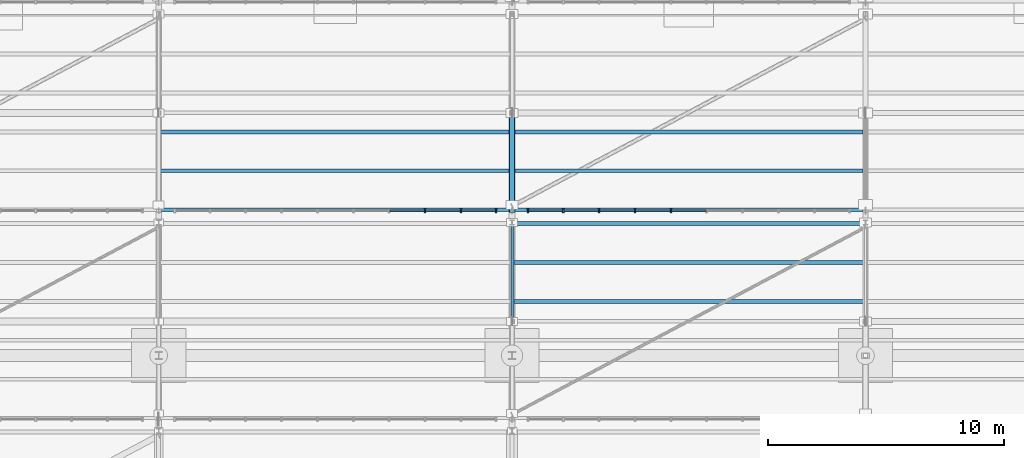
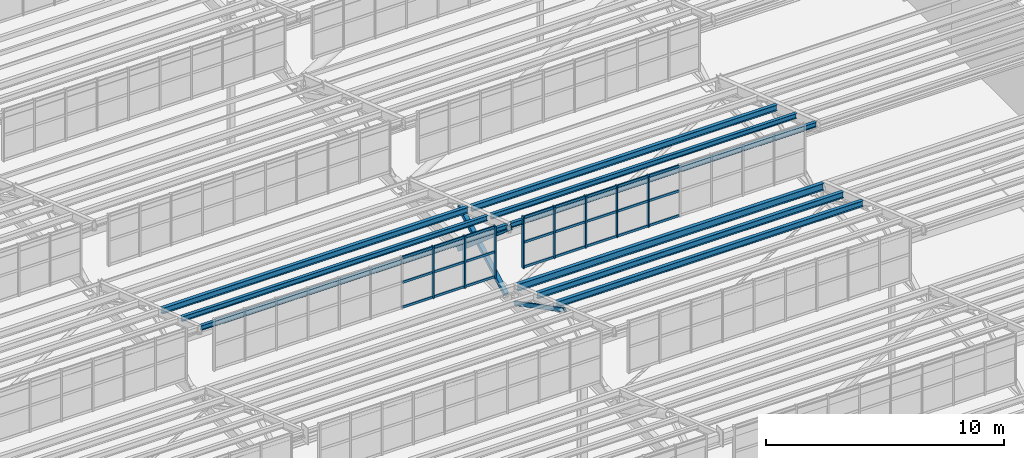
# One storey, part 92 of 285: 35 members, 9 beams, 2 elements without a shape of their own.
"""IFC4 building model written with IfcOpenShell, lengths in metres."""

from ifc_helpers import new_model, si_unit, direction, frame, origin, origin_2d, place, context, subcontext, project, spatial, rectangle, hollow_rectangle, i_section, extrude, material, material_profile, profile_set, type_object, element, aggregate, save


model = new_model("IFC4")

# Units and contexts
model_context = context("Model", 3, precision=1e-05, world=origin(), true_north=direction((0.0, 1.0)))
body_context = subcontext(model_context, "Body", "Model", "MODEL_VIEW")
ifc_project = project(units=[si_unit("LENGTHUNIT", "METRE"), si_unit("AREAUNIT", "SQUARE_METRE"), si_unit("VOLUMEUNIT", "CUBIC_METRE"), si_unit("PLANEANGLEUNIT", "RADIAN"), si_unit("MASSUNIT", "GRAM", prefix="KILO")], contexts=[model_context])

# Site, building, storey
site_placement = place(None, origin())
site = spatial("IfcSite", under=ifc_project, at=site_placement, CompositionType="ELEMENT")
building_placement = place(site_placement, origin())
building = spatial("IfcBuilding", under=site, at=building_placement, Name="Solanera Park Tramway Depot", CompositionType="ELEMENT")
storey_placement = place(building_placement, origin())
storey = spatial("IfcBuildingStorey", under=building, at=storey_placement, Name="L00", CompositionType="ELEMENT", Elevation=0.0)

# Curtain wall, members
ifc_material_1 = material(Name="Bronze-anodised thermally broken aluminium curtain wall", Category="aluminium")
curtain_wall_type = type_object("IfcCurtainWallType", Name="Sawtooth Clerestory Monitor Curtain Wall", PredefinedType="NOTDEFINED", material=ifc_material_1)
curtain_wall_1_placement = place(storey_placement, origin())
curtain_wall_1 = element("IfcCurtainWall", 1, at=curtain_wall_1_placement, inside=storey, type_object=curtain_wall_type, Name="L00 Sawtooth Clerestory Monitor Curtain Wall #034", PredefinedType="NOTDEFINED")
ifc_material_2 = material(Name="Bronze-anodised structural aluminium 6063-T6", Category="aluminium")
ifc_material_profile_1 = material_profile(ifc_material_2, rectangle(XDim=0.06494140625, YDim=0.14990234375, at=origin_2d()), Name="Curtain Wall Mullion 65x150")
ifc_profile_set_1 = profile_set([ifc_material_profile_1], Name="Bronze-anodised structural aluminium 6063-T6")
member_type_1 = type_object("IfcMemberType", Name="Curtain Wall Mullion 65x150", PredefinedType="MULLION", material=ifc_profile_set_1)
member_1_placement = place(storey_placement, frame((116.3056640625, 91.14990234375, 7.75), z_axis=(0.0, 0.0, 1.0), x_axis=(1.0, 0.0, 0.0)))
member_1 = element("IfcMember", 2, at=member_1_placement, type_object=member_type_1, Name="CW-L00-034 Mullion 8", PredefinedType="MULLION", context=body_context, shape_type="SweptSolid", body=[
    extrude(rectangle(XDim=0.06494140625, YDim=0.14990234375, at=origin_2d()), origin(), (0.0, 0.0, 1.0), 2.6611328125),
])
member_2_placement = place(storey_placement, frame((117.827880859375, 91.14990234375, 7.75), z_axis=(0.0, 0.0, 1.0), x_axis=(1.0, 0.0, 0.0)))
member_2 = element("IfcMember", 3, at=member_2_placement, type_object=member_type_1, Name="CW-L00-034 Mullion 9", PredefinedType="MULLION", context=body_context, shape_type="SweptSolid", body=[
    extrude(rectangle(XDim=0.06494140625, YDim=0.14990234375, at=origin_2d()), origin(), (0.0, 0.0, 1.0), 2.6611328125),
])
member_3_placement = place(storey_placement, frame((119.3173828125, 91.14990234375, 7.75), z_axis=(0.0, 0.0, 1.0), x_axis=(1.0, 0.0, 0.0)))
member_3 = element("IfcMember", 4, at=member_3_placement, type_object=member_type_1, Name="CW-L00-034 Mullion 10", PredefinedType="MULLION", context=body_context, shape_type="SweptSolid", body=[
    extrude(rectangle(XDim=0.06494140625, YDim=0.14990234375, at=origin_2d()), origin(), (0.0, 0.0, 1.0), 2.6611328125),
])

curtain_wall_2_placement = place(storey_placement, origin())
curtain_wall_2 = element("IfcCurtainWall", 5, at=curtain_wall_2_placement, inside=storey, type_object=curtain_wall_type, Name="L00 Sawtooth Clerestory Monitor Curtain Wall #035", PredefinedType="NOTDEFINED")
member_4_placement = place(storey_placement, frame((120.6826171875, 91.14990234375, 7.75), z_axis=(0.0, 0.0, 1.0), x_axis=(1.0, 0.0, 0.0)))
member_4 = element("IfcMember", 6, at=member_4_placement, type_object=member_type_1, Name="CW-L00-035 Mullion 1", PredefinedType="MULLION", context=body_context, shape_type="SweptSolid", body=[
    extrude(rectangle(XDim=0.06494140625, YDim=0.14990234375, at=origin_2d()), origin(), (0.0, 0.0, 1.0), 2.6611328125),
])
member_5_placement = place(storey_placement, frame((122.172119140625, 91.14990234375, 7.75), z_axis=(0.0, 0.0, 1.0), x_axis=(1.0, 0.0, 0.0)))
member_5 = element("IfcMember", 7, at=member_5_placement, type_object=member_type_1, Name="CW-L00-035 Mullion 2", PredefinedType="MULLION", context=body_context, shape_type="SweptSolid", body=[
    extrude(rectangle(XDim=0.06494140625, YDim=0.14990234375, at=origin_2d()), origin(), (0.0, 0.0, 1.0), 2.6611328125),
])
member_6_placement = place(storey_placement, frame((123.6943359375, 91.14990234375, 7.75), z_axis=(0.0, 0.0, 1.0), x_axis=(1.0, 0.0, 0.0)))
member_6 = element("IfcMember", 8, at=member_6_placement, type_object=member_type_1, Name="CW-L00-035 Mullion 3", PredefinedType="MULLION", context=body_context, shape_type="SweptSolid", body=[
    extrude(rectangle(XDim=0.06494140625, YDim=0.14990234375, at=origin_2d()), origin(), (0.0, 0.0, 1.0), 2.6611328125),
])
member_7_placement = place(storey_placement, frame((125.216796875, 91.14990234375, 7.75), z_axis=(0.0, 0.0, 1.0), x_axis=(1.0, 0.0, 0.0)))
member_7 = element("IfcMember", 9, at=member_7_placement, type_object=member_type_1, Name="CW-L00-035 Mullion 4", PredefinedType="MULLION", context=body_context, shape_type="SweptSolid", body=[
    extrude(rectangle(XDim=0.06494140625, YDim=0.14990234375, at=origin_2d()), origin(), (0.0, 0.0, 1.0), 2.6611328125),
])
member_8_placement = place(storey_placement, frame((126.739013671875, 91.14990234375, 7.75), z_axis=(0.0, 0.0, 1.0), x_axis=(1.0, 0.0, 0.0)))
member_8 = element("IfcMember", 10, at=member_8_placement, type_object=member_type_1, Name="CW-L00-035 Mullion 5", PredefinedType="MULLION", context=body_context, shape_type="SweptSolid", body=[
    extrude(rectangle(XDim=0.06494140625, YDim=0.14990234375, at=origin_2d()), origin(), (0.0, 0.0, 1.0), 2.6611328125),
])

# Member
ifc_material_3 = material(Name="Bronze-anodised structural aluminium 6063-T6", Category="aluminium")
ifc_material_profile_2 = material_profile(ifc_material_3, rectangle(XDim=0.06494140625, YDim=0.1201171875, at=origin_2d()), Name="Curtain Wall Transom 65x120")
ifc_profile_set_2 = profile_set([ifc_material_profile_2], Name="Bronze-anodised structural aluminium 6063-T6")
member_type_2 = type_object("IfcMemberType", Name="Curtain Wall Transom 65x120", PredefinedType="USERDEFINED", material=ifc_profile_set_2)
member_9_placement = place(storey_placement, frame((114.811279296875, 91.14990234375, 7.81005859375), z_axis=(1.0, 0.0, 0.0), x_axis=(0.0, 1.0, 0.0)))
member_9 = element("IfcMember", 11, at=member_9_placement, type_object=member_type_2, Name="CW-L00-034 Transom R1.C7", ObjectType="TRANSOM", PredefinedType="USERDEFINED", context=body_context, shape_type="SweptSolid", body=[
    extrude(rectangle(XDim=0.06494140625, YDim=0.1201171875, at=origin_2d()), origin(), (0.0, 0.0, 1.0), 1.46630859375),
])

member_10_placement = place(storey_placement, frame((116.33349609375, 91.14990234375, 7.81005859375), z_axis=(1.0, 0.0, 0.0), x_axis=(0.0, 1.0, 0.0)))
member_10 = element("IfcMember", 12, at=member_10_placement, type_object=member_type_2, Name="CW-L00-034 Transom R1.C8", ObjectType="TRANSOM", PredefinedType="USERDEFINED", context=body_context, shape_type="SweptSolid", body=[
    extrude(rectangle(XDim=0.06494140625, YDim=0.1201171875, at=origin_2d()), origin(), (0.0, 0.0, 1.0), 1.46630859375),
])

member_11_placement = place(storey_placement, frame((117.855712890625, 91.14990234375, 7.81005859375), z_axis=(1.0, 0.0, 0.0), x_axis=(0.0, 1.0, 0.0)))
member_11 = element("IfcMember", 13, at=member_11_placement, type_object=member_type_2, Name="CW-L00-034 Transom R1.C9", ObjectType="TRANSOM", PredefinedType="USERDEFINED", context=body_context, shape_type="SweptSolid", body=[
    extrude(rectangle(XDim=0.06494140625, YDim=0.1201171875, at=origin_2d()), origin(), (0.0, 0.0, 1.0), 1.433837890625),
])

member_12_placement = place(storey_placement, frame((114.811279296875, 91.14990234375, 9.08056640625), z_axis=(1.0, 0.0, 0.0), x_axis=(0.0, 1.0, 0.0)))
member_12 = element("IfcMember", 14, at=member_12_placement, type_object=member_type_2, Name="CW-L00-034 Transom R2.C7", ObjectType="TRANSOM", PredefinedType="USERDEFINED", context=body_context, shape_type="SweptSolid", body=[
    extrude(rectangle(XDim=0.06494140625, YDim=0.1201171875, at=origin_2d()), origin(), (0.0, 0.0, 1.0), 1.46630859375),
])

member_13_placement = place(storey_placement, frame((116.33349609375, 91.14990234375, 9.08056640625), z_axis=(1.0, 0.0, 0.0), x_axis=(0.0, 1.0, 0.0)))
member_13 = element("IfcMember", 15, at=member_13_placement, type_object=member_type_2, Name="CW-L00-034 Transom R2.C8", ObjectType="TRANSOM", PredefinedType="USERDEFINED", context=body_context, shape_type="SweptSolid", body=[
    extrude(rectangle(XDim=0.06494140625, YDim=0.1201171875, at=origin_2d()), origin(), (0.0, 0.0, 1.0), 1.46630859375),
])

member_14_placement = place(storey_placement, frame((117.855712890625, 91.14990234375, 9.08056640625), z_axis=(1.0, 0.0, 0.0), x_axis=(0.0, 1.0, 0.0)))
member_14 = element("IfcMember", 16, at=member_14_placement, type_object=member_type_2, Name="CW-L00-034 Transom R2.C9", ObjectType="TRANSOM", PredefinedType="USERDEFINED", context=body_context, shape_type="SweptSolid", body=[
    extrude(rectangle(XDim=0.06494140625, YDim=0.1201171875, at=origin_2d()), origin(), (0.0, 0.0, 1.0), 1.433837890625),
])

member_15_placement = place(storey_placement, frame((114.811279296875, 91.14990234375, 10.351318359375), z_axis=(1.0, 0.0, 0.0), x_axis=(0.0, 1.0, 0.0)))
member_15 = element("IfcMember", 17, at=member_15_placement, type_object=member_type_2, Name="CW-L00-034 Transom R3.C7", ObjectType="TRANSOM", PredefinedType="USERDEFINED", context=body_context, shape_type="SweptSolid", body=[
    extrude(rectangle(XDim=0.06494140625, YDim=0.1201171875, at=origin_2d()), origin(), (0.0, 0.0, 1.0), 1.46630859375),
])

member_16_placement = place(storey_placement, frame((116.33349609375, 91.14990234375, 10.351318359375), z_axis=(1.0, 0.0, 0.0), x_axis=(0.0, 1.0, 0.0)))
member_16 = element("IfcMember", 18, at=member_16_placement, type_object=member_type_2, Name="CW-L00-034 Transom R3.C8", ObjectType="TRANSOM", PredefinedType="USERDEFINED", context=body_context, shape_type="SweptSolid", body=[
    extrude(rectangle(XDim=0.06494140625, YDim=0.1201171875, at=origin_2d()), origin(), (0.0, 0.0, 1.0), 1.46630859375),
])

member_17_placement = place(storey_placement, frame((117.855712890625, 91.14990234375, 10.351318359375), z_axis=(1.0, 0.0, 0.0), x_axis=(0.0, 1.0, 0.0)))
member_17 = element("IfcMember", 19, at=member_17_placement, type_object=member_type_2, Name="CW-L00-034 Transom R3.C9", ObjectType="TRANSOM", PredefinedType="USERDEFINED", context=body_context, shape_type="SweptSolid", body=[
    extrude(rectangle(XDim=0.06494140625, YDim=0.1201171875, at=origin_2d()), origin(), (0.0, 0.0, 1.0), 1.433837890625),
])

aggregate(curtain_wall_1, [member_1, member_2, member_3, member_9, member_10, member_11, member_12, member_13, member_14, member_15, member_16, member_17])

member_18_placement = place(storey_placement, frame((120.71044921875, 91.14990234375, 7.81005859375), z_axis=(1.0, 0.0, 0.0), x_axis=(0.0, 1.0, 0.0)))
member_18 = element("IfcMember", 20, at=member_18_placement, type_object=member_type_2, Name="CW-L00-035 Transom R1.C1", ObjectType="TRANSOM", PredefinedType="USERDEFINED", context=body_context, shape_type="SweptSolid", body=[
    extrude(rectangle(XDim=0.06494140625, YDim=0.1201171875, at=origin_2d()), origin(), (0.0, 0.0, 1.0), 1.433837890625),
])

member_19_placement = place(storey_placement, frame((122.2001953125, 91.14990234375, 7.81005859375), z_axis=(1.0, 0.0, 0.0), x_axis=(0.0, 1.0, 0.0)))
member_19 = element("IfcMember", 21, at=member_19_placement, type_object=member_type_2, Name="CW-L00-035 Transom R1.C2", ObjectType="TRANSOM", PredefinedType="USERDEFINED", context=body_context, shape_type="SweptSolid", body=[
    extrude(rectangle(XDim=0.06494140625, YDim=0.1201171875, at=origin_2d()), origin(), (0.0, 0.0, 1.0), 1.46630859375),
])

member_20_placement = place(storey_placement, frame((123.722412109375, 91.14990234375, 7.81005859375), z_axis=(1.0, 0.0, 0.0), x_axis=(0.0, 1.0, 0.0)))
member_20 = element("IfcMember", 22, at=member_20_placement, type_object=member_type_2, Name="CW-L00-035 Transom R1.C3", ObjectType="TRANSOM", PredefinedType="USERDEFINED", context=body_context, shape_type="SweptSolid", body=[
    extrude(rectangle(XDim=0.06494140625, YDim=0.1201171875, at=origin_2d()), origin(), (0.0, 0.0, 1.0), 1.46630859375),
])

member_21_placement = place(storey_placement, frame((125.24462890625, 91.14990234375, 7.81005859375), z_axis=(1.0, 0.0, 0.0), x_axis=(0.0, 1.0, 0.0)))
member_21 = element("IfcMember", 23, at=member_21_placement, type_object=member_type_2, Name="CW-L00-035 Transom R1.C4", ObjectType="TRANSOM", PredefinedType="USERDEFINED", context=body_context, shape_type="SweptSolid", body=[
    extrude(rectangle(XDim=0.06494140625, YDim=0.1201171875, at=origin_2d()), origin(), (0.0, 0.0, 1.0), 1.46630859375),
])

member_22_placement = place(storey_placement, frame((126.766845703125, 91.14990234375, 7.81005859375), z_axis=(1.0, 0.0, 0.0), x_axis=(0.0, 1.0, 0.0)))
member_22 = element("IfcMember", 24, at=member_22_placement, type_object=member_type_2, Name="CW-L00-035 Transom R1.C5", ObjectType="TRANSOM", PredefinedType="USERDEFINED", context=body_context, shape_type="SweptSolid", body=[
    extrude(rectangle(XDim=0.06494140625, YDim=0.1201171875, at=origin_2d()), origin(), (0.0, 0.0, 1.0), 1.46630859375),
])

member_23_placement = place(storey_placement, frame((120.71044921875, 91.14990234375, 9.08056640625), z_axis=(1.0, 0.0, 0.0), x_axis=(0.0, 1.0, 0.0)))
member_23 = element("IfcMember", 25, at=member_23_placement, type_object=member_type_2, Name="CW-L00-035 Transom R2.C1", ObjectType="TRANSOM", PredefinedType="USERDEFINED", context=body_context, shape_type="SweptSolid", body=[
    extrude(rectangle(XDim=0.06494140625, YDim=0.1201171875, at=origin_2d()), origin(), (0.0, 0.0, 1.0), 1.433837890625),
])

member_24_placement = place(storey_placement, frame((122.2001953125, 91.14990234375, 9.08056640625), z_axis=(1.0, 0.0, 0.0), x_axis=(0.0, 1.0, 0.0)))
member_24 = element("IfcMember", 26, at=member_24_placement, type_object=member_type_2, Name="CW-L00-035 Transom R2.C2", ObjectType="TRANSOM", PredefinedType="USERDEFINED", context=body_context, shape_type="SweptSolid", body=[
    extrude(rectangle(XDim=0.06494140625, YDim=0.1201171875, at=origin_2d()), origin(), (0.0, 0.0, 1.0), 1.46630859375),
])

member_25_placement = place(storey_placement, frame((123.722412109375, 91.14990234375, 9.08056640625), z_axis=(1.0, 0.0, 0.0), x_axis=(0.0, 1.0, 0.0)))
member_25 = element("IfcMember", 27, at=member_25_placement, type_object=member_type_2, Name="CW-L00-035 Transom R2.C3", ObjectType="TRANSOM", PredefinedType="USERDEFINED", context=body_context, shape_type="SweptSolid", body=[
    extrude(rectangle(XDim=0.06494140625, YDim=0.1201171875, at=origin_2d()), origin(), (0.0, 0.0, 1.0), 1.46630859375),
])

member_26_placement = place(storey_placement, frame((125.24462890625, 91.14990234375, 9.08056640625), z_axis=(1.0, 0.0, 0.0), x_axis=(0.0, 1.0, 0.0)))
member_26 = element("IfcMember", 28, at=member_26_placement, type_object=member_type_2, Name="CW-L00-035 Transom R2.C4", ObjectType="TRANSOM", PredefinedType="USERDEFINED", context=body_context, shape_type="SweptSolid", body=[
    extrude(rectangle(XDim=0.06494140625, YDim=0.1201171875, at=origin_2d()), origin(), (0.0, 0.0, 1.0), 1.46630859375),
])

member_27_placement = place(storey_placement, frame((126.766845703125, 91.14990234375, 9.08056640625), z_axis=(1.0, 0.0, 0.0), x_axis=(0.0, 1.0, 0.0)))
member_27 = element("IfcMember", 29, at=member_27_placement, type_object=member_type_2, Name="CW-L00-035 Transom R2.C5", ObjectType="TRANSOM", PredefinedType="USERDEFINED", context=body_context, shape_type="SweptSolid", body=[
    extrude(rectangle(XDim=0.06494140625, YDim=0.1201171875, at=origin_2d()), origin(), (0.0, 0.0, 1.0), 1.46630859375),
])

member_28_placement = place(storey_placement, frame((120.71044921875, 91.14990234375, 10.351318359375), z_axis=(1.0, 0.0, 0.0), x_axis=(0.0, 1.0, 0.0)))
member_28 = element("IfcMember", 30, at=member_28_placement, type_object=member_type_2, Name="CW-L00-035 Transom R3.C1", ObjectType="TRANSOM", PredefinedType="USERDEFINED", context=body_context, shape_type="SweptSolid", body=[
    extrude(rectangle(XDim=0.06494140625, YDim=0.1201171875, at=origin_2d()), origin(), (0.0, 0.0, 1.0), 1.433837890625),
])

member_29_placement = place(storey_placement, frame((122.2001953125, 91.14990234375, 10.351318359375), z_axis=(1.0, 0.0, 0.0), x_axis=(0.0, 1.0, 0.0)))
member_29 = element("IfcMember", 31, at=member_29_placement, type_object=member_type_2, Name="CW-L00-035 Transom R3.C2", ObjectType="TRANSOM", PredefinedType="USERDEFINED", context=body_context, shape_type="SweptSolid", body=[
    extrude(rectangle(XDim=0.06494140625, YDim=0.1201171875, at=origin_2d()), origin(), (0.0, 0.0, 1.0), 1.46630859375),
])

member_30_placement = place(storey_placement, frame((123.722412109375, 91.14990234375, 10.351318359375), z_axis=(1.0, 0.0, 0.0), x_axis=(0.0, 1.0, 0.0)))
member_30 = element("IfcMember", 32, at=member_30_placement, type_object=member_type_2, Name="CW-L00-035 Transom R3.C3", ObjectType="TRANSOM", PredefinedType="USERDEFINED", context=body_context, shape_type="SweptSolid", body=[
    extrude(rectangle(XDim=0.06494140625, YDim=0.1201171875, at=origin_2d()), origin(), (0.0, 0.0, 1.0), 1.46630859375),
])

member_31_placement = place(storey_placement, frame((125.24462890625, 91.14990234375, 10.351318359375), z_axis=(1.0, 0.0, 0.0), x_axis=(0.0, 1.0, 0.0)))
member_31 = element("IfcMember", 33, at=member_31_placement, type_object=member_type_2, Name="CW-L00-035 Transom R3.C4", ObjectType="TRANSOM", PredefinedType="USERDEFINED", context=body_context, shape_type="SweptSolid", body=[
    extrude(rectangle(XDim=0.06494140625, YDim=0.1201171875, at=origin_2d()), origin(), (0.0, 0.0, 1.0), 1.46630859375),
])

member_32_placement = place(storey_placement, frame((126.766845703125, 91.14990234375, 10.351318359375), z_axis=(1.0, 0.0, 0.0), x_axis=(0.0, 1.0, 0.0)))
member_32 = element("IfcMember", 34, at=member_32_placement, type_object=member_type_2, Name="CW-L00-035 Transom R3.C5", ObjectType="TRANSOM", PredefinedType="USERDEFINED", context=body_context, shape_type="SweptSolid", body=[
    extrude(rectangle(XDim=0.06494140625, YDim=0.1201171875, at=origin_2d()), origin(), (0.0, 0.0, 1.0), 1.46630859375),
])

aggregate(curtain_wall_2, [member_4, member_5, member_6, member_7, member_8, member_18, member_19, member_20, member_21, member_22, member_23, member_24, member_25, member_26, member_27, member_28, member_29, member_30, member_31, member_32])

ifc_material_4 = material(Name="Steel AS/NZS 1163 Grade C350L0", Category="steel")
ifc_material_profile_3 = material_profile(ifc_material_4, hollow_rectangle(XDim=0.199951171875, YDim=0.199951171875, WallThickness=0.008056640625, at=origin_2d()), Name="200x200x8.0 SHS")
ifc_profile_set_3 = profile_set([ifc_material_profile_3], Name="Steel AS/NZS 1163 Grade C350L0")
member_type_3 = type_object("IfcMemberType", Name="Roof Gantry Compression Strut 200x200x8.0 SHS", PredefinedType="STRUT", material=ifc_profile_set_3)
member_33_placement = place(storey_placement, frame((120.0, 91.39990234375, 6.5), z_axis=(0.0, 0.874087581692, 0.485768359954), x_axis=(-1.0, 0.0, 0.0)))
element("IfcMember", 35, at=member_33_placement, inside=storey, type_object=member_type_3, Name="Sawtooth ROOF TRUSS Strut 200x200x8.0 SHS #0205", PredefinedType="STRUT", context=body_context, shape_type="SweptSolid", body=[
    extrude(hollow_rectangle(XDim=0.199951171875, YDim=0.199951171875, WallThickness=0.008056640625, at=origin_2d()), origin(), (0.0, 0.0, 1.0), 4.4619140625),
])

# Beams
ifc_material_5 = material(Name="Steel AS/NZS 3679.1 Grade 350", Category="steel")
ifc_material_profile_4 = material_profile(ifc_material_5, i_section(OverallWidth=0.14599609375, OverallDepth=0.251708984375, WebThickness=0.006103515625, FlangeThickness=0.008544921875, at=origin_2d()), Name="250UB31.4")
ifc_profile_set_4 = profile_set([ifc_material_profile_4], Name="Steel AS/NZS 3679.1 Grade 350")
beam_type_1 = type_object("IfcBeamType", Name="Steel Joist Purlin 250UB31.4", PredefinedType="JOIST", material=ifc_profile_set_4)
beam_1_placement = place(storey_placement, frame((105.080810546875, 91.199951171875, 10.139892578125), z_axis=(1.0, 0.0, 0.0), x_axis=(0.0, 1.0, 0.0)))
element("IfcBeam", 36, at=beam_1_placement, inside=storey, type_object=beam_type_1, Name="Sawtooth Roof Purlin 250UB31.4 B05.1", PredefinedType="JOIST", context=body_context, shape_type="SweptSolid", body=[
    extrude(i_section(OverallWidth=0.14599609375, OverallDepth=0.251708984375, WebThickness=0.006103515625, FlangeThickness=0.008544921875, at=origin_2d()), origin(), (0.0, 0.0, 1.0), 14.83203125),
])
beam_2_placement = place(storey_placement, frame((120.087158203125, 91.199951171875, 10.139892578125), z_axis=(1.0, 0.0, 0.0), x_axis=(0.0, 1.0, 0.0)))
element("IfcBeam", 37, at=beam_2_placement, inside=storey, type_object=beam_type_1, Name="Sawtooth Roof Purlin 250UB31.4 B05.1", PredefinedType="JOIST", context=body_context, shape_type="SweptSolid", body=[
    extrude(i_section(OverallWidth=0.14599609375, OverallDepth=0.251708984375, WebThickness=0.006103515625, FlangeThickness=0.008544921875, at=origin_2d()), origin(), (0.0, 0.0, 1.0), 14.816162109375),
])
ifc_material_6 = material(Name="Steel AS/NZS 3679.1 Grade 350", Category="steel")
ifc_material_profile_5 = material_profile(ifc_material_6, i_section(OverallWidth=0.146484375, OverallDepth=0.256103515625, WebThickness=0.00634765625, FlangeThickness=0.010986328125, at=origin_2d()), Name="250UB37.3")
ifc_profile_set_5 = profile_set([ifc_material_profile_5], Name="Steel AS/NZS 3679.1 Grade 350")
beam_type_2 = type_object("IfcBeamType", Name="Steel Joist Purlin 250UB37.3", PredefinedType="JOIST", material=ifc_profile_set_5)
beam_3_placement = place(storey_placement, frame((105.080810546875, 92.85009765625, 9.58544921875), z_axis=(1.0, 0.0, 0.0), x_axis=(0.0, 1.0, 0.0)))
element("IfcBeam", 38, at=beam_3_placement, inside=storey, type_object=beam_type_2, Name="Sawtooth Roof Purlin 250UB37.3 B05.2", PredefinedType="JOIST", context=body_context, shape_type="SweptSolid", body=[
    extrude(i_section(OverallWidth=0.146484375, OverallDepth=0.256103515625, WebThickness=0.00634765625, FlangeThickness=0.010986328125, at=origin_2d()), origin(), (0.0, 0.0, 1.0), 14.83203125),
])
beam_4_placement = place(storey_placement, frame((120.087158203125, 92.85009765625, 9.58544921875), z_axis=(1.0, 0.0, 0.0), x_axis=(0.0, 1.0, 0.0)))
element("IfcBeam", 39, at=beam_4_placement, inside=storey, type_object=beam_type_2, Name="Sawtooth Roof Purlin 250UB37.3 B05.2", PredefinedType="JOIST", context=body_context, shape_type="SweptSolid", body=[
    extrude(i_section(OverallWidth=0.146484375, OverallDepth=0.256103515625, WebThickness=0.00634765625, FlangeThickness=0.010986328125, at=origin_2d()), origin(), (0.0, 0.0, 1.0), 14.816162109375),
])
ifc_material_7 = material(Name="Steel AS/NZS 3679.1 Grade 350", Category="steel")
ifc_material_profile_6 = material_profile(ifc_material_7, i_section(OverallWidth=0.1650390625, OverallDepth=0.3037109375, WebThickness=0.006103515625, FlangeThickness=0.01025390625, at=origin_2d()), Name="310UB40.4")
ifc_profile_set_6 = profile_set([ifc_material_profile_6], Name="Steel AS/NZS 3679.1 Grade 350")
beam_type_3 = type_object("IfcBeamType", Name="Steel Joist Purlin 310UB40.4", PredefinedType="JOIST", material=ifc_profile_set_6)
for number, where, z_axis, x_axis, name in (
    (40, (120.080810546875, 87.300048828125, 8.454345703125), (1.0, 0.0, 0.0), (0.0, 1.0, 0.0), "Sawtooth Roof Purlin 310UB40.4 B04.4"),
    (41, (105.080810546875, 94.5, 9.00634765625), (1.0, 0.0, 0.0), (0.0, 1.0, 0.0), "Sawtooth Roof Purlin 310UB40.4 B05.3"),
):
    element("IfcBeam", number, at=place(storey_placement, frame(where, z_axis=z_axis, x_axis=x_axis)), inside=storey, type_object=beam_type_3, Name=name, PredefinedType="JOIST", context=body_context, shape_type="SweptSolid", body=[
        extrude(i_section(OverallWidth=0.1650390625, OverallDepth=0.3037109375, WebThickness=0.006103515625, FlangeThickness=0.01025390625, at=origin_2d()), origin(), (0.0, 0.0, 1.0), 14.83203125),
    ])
beam_5_placement = place(storey_placement, frame((120.087158203125, 94.5, 9.00634765625), z_axis=(1.0, 0.0, 0.0), x_axis=(0.0, 1.0, 0.0)))
element("IfcBeam", 42, at=beam_5_placement, inside=storey, type_object=beam_type_3, Name="Sawtooth Roof Purlin 310UB40.4 B05.3", PredefinedType="JOIST", context=body_context, shape_type="SweptSolid", body=[
    extrude(i_section(OverallWidth=0.1650390625, OverallDepth=0.3037109375, WebThickness=0.006103515625, FlangeThickness=0.01025390625, at=origin_2d()), origin(), (0.0, 0.0, 1.0), 14.816162109375),
])
ifc_material_8 = material(Name="Steel AS/NZS 3679.1 Grade 350", Category="steel")
ifc_material_profile_7 = material_profile(ifc_material_8, i_section(OverallWidth=0.166015625, OverallDepth=0.30712890625, WebThickness=0.006591796875, FlangeThickness=0.01171875, at=origin_2d()), Name="310UB46.2")
ifc_profile_set_7 = profile_set([ifc_material_profile_7], Name="Steel AS/NZS 3679.1 Grade 350")
beam_type_4 = type_object("IfcBeamType", Name="Steel Joist Purlin 310UB46.2", PredefinedType="JOIST", material=ifc_profile_set_7)
beam_6_placement = place(storey_placement, frame((120.080810546875, 88.949951171875, 7.900390625), z_axis=(1.0, 0.0, 0.0), x_axis=(0.0, 1.0, 0.0)))
element("IfcBeam", 43, at=beam_6_placement, inside=storey, type_object=beam_type_4, Name="Sawtooth Roof Purlin 310UB46.2 B04.5", PredefinedType="JOIST", context=body_context, shape_type="SweptSolid", body=[
    extrude(i_section(OverallWidth=0.166015625, OverallDepth=0.30712890625, WebThickness=0.006591796875, FlangeThickness=0.01171875, at=origin_2d()), origin(), (0.0, 0.0, 1.0), 14.83203125),
])
ifc_material_9 = material(Name="Steel AS/NZS 3679.1 Grade 350", Category="steel")
ifc_material_profile_8 = material_profile(ifc_material_9, i_section(OverallWidth=0.17138671875, OverallDepth=0.355712890625, WebThickness=0.00732421875, FlangeThickness=0.011474609375, at=origin_2d()), Name="360UB50.7")
ifc_profile_set_8 = profile_set([ifc_material_profile_8], Name="Steel AS/NZS 3679.1 Grade 350")
beam_type_5 = type_object("IfcBeamType", Name="Steel Joist Purlin 360UB50.7", PredefinedType="JOIST", material=ifc_profile_set_8)
beam_7_placement = place(storey_placement, frame((120.080810546875, 90.60009765625, 7.3232421875), z_axis=(1.0, 0.0, 0.0), x_axis=(0.0, 1.0, 0.0)))
element("IfcBeam", 44, at=beam_7_placement, inside=storey, type_object=beam_type_5, Name="Sawtooth Roof Purlin 360UB50.7 B04.6", PredefinedType="JOIST", context=body_context, shape_type="SweptSolid", body=[
    extrude(i_section(OverallWidth=0.17138671875, OverallDepth=0.355712890625, WebThickness=0.00732421875, FlangeThickness=0.011474609375, at=origin_2d()), origin(), (0.0, 0.0, 1.0), 14.83203125),
])

# Members
ifc_material_10 = material(Name="Steel AS/NZS 1163 Grade C350L0", Category="steel")
ifc_material_profile_9 = material_profile(ifc_material_10, hollow_rectangle(XDim=0.10009765625, YDim=0.199951171875, WallThickness=0.006103515625, at=origin_2d()), Name="200x100x6.0 RHS")
ifc_profile_set_9 = profile_set([ifc_material_profile_9], Name="Steel AS/NZS 1163 Grade C350L0")
member_type_4 = type_object("IfcMemberType", Name="Truss and Frame Brace 200x100x6.0 RHS", PredefinedType="BRACE", material=ifc_profile_set_9)
member_34_placement = place(storey_placement, frame((120.0, 90.64990234375, 6.5), z_axis=(0.0, -0.886425847493, 0.462870626521), x_axis=(1.0, 0.0, 0.0)))
element("IfcMember", 45, at=member_34_placement, inside=storey, type_object=member_type_4, Name="Sawtooth ROOF TRUSS Diagonal 200x100x6.0 RHS #0157", PredefinedType="BRACE", context=body_context, shape_type="SweptSolid", body=[
    extrude(hollow_rectangle(XDim=0.10009765625, YDim=0.199951171875, WallThickness=0.006103515625, at=origin_2d()), origin(), (0.0, 0.0, 1.0), 4.738037109375),
])
ifc_material_11 = material(Name="Steel AS/NZS 1163 Grade C350L0", Category="steel")
ifc_material_profile_10 = material_profile(ifc_material_11, hollow_rectangle(XDim=0.25, YDim=0.25, WallThickness=0.010009765625, at=origin_2d()), Name="250x250x10.0 SHS")
ifc_profile_set_10 = profile_set([ifc_material_profile_10], Name="Steel AS/NZS 1163 Grade C350L0")
member_type_5 = type_object("IfcMemberType", Name="Truss and Frame Brace 250x250x10.0 SHS", PredefinedType="BRACE", material=ifc_profile_set_10)
member_35_placement = place(storey_placement, frame((120.0, 95.300048828125, 6.5), z_axis=(0.0, -0.759357496503, 0.650673645159), x_axis=(1.0, 0.0, 0.0)))
element("IfcMember", 46, at=member_35_placement, inside=storey, type_object=member_type_5, Name="Sawtooth ROOF TRUSS Web Brace 250x250x10.0 SHS #0203", PredefinedType="BRACE", context=body_context, shape_type="SweptSolid", body=[
    extrude(hollow_rectangle(XDim=0.25, YDim=0.25, WallThickness=0.010009765625, at=origin_2d()), origin(), (0.0, 0.0, 1.0), 5.46533203125),
])

save(model, "model.ifc")
